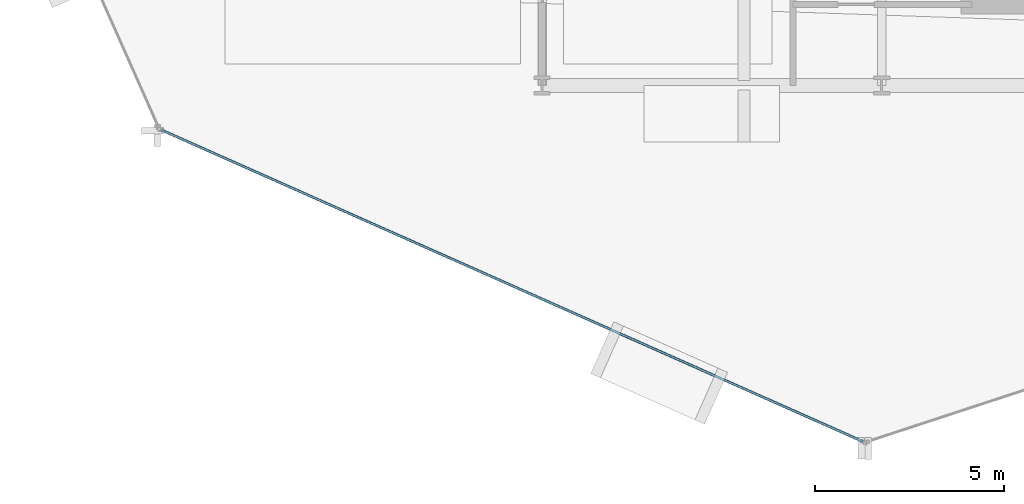
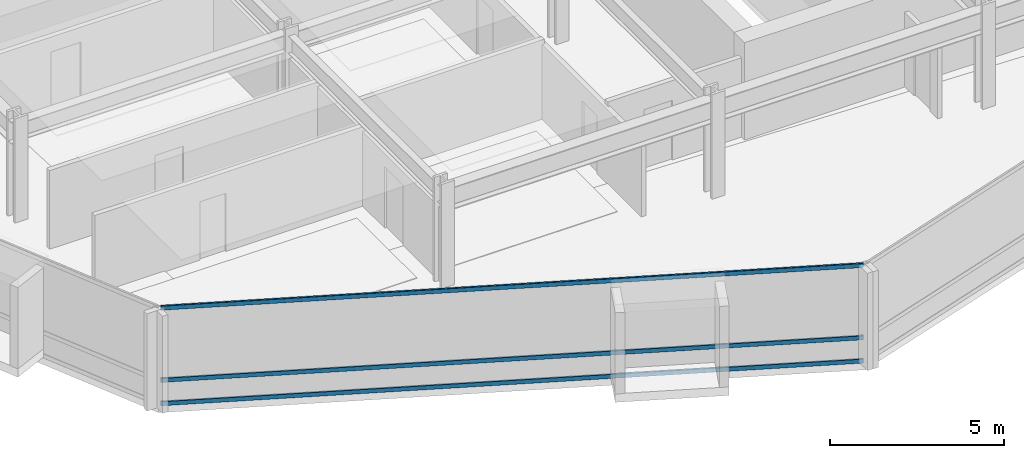
# One storey, part 3 of 34: 3 members, 1 element without a shape of its own.
"""IFC4 building model written with IfcOpenShell, lengths in metres."""

from ifc_helpers import new_model, si_unit, direction, frame, origin, origin_2d, place, context, subcontext, project, spatial, hollow_rectangle, extrude, material, layer, layer_set, material_profile, profile_set, type_object, element, aggregate, save


model = new_model("IFC4")

# Units and contexts
model_context = context("Model", 3, precision=1e-05, world=origin(), true_north=direction((0.0, 1.0)))
body_context = subcontext(model_context, "Body", "Model", "MODEL_VIEW")
ifc_project = project(units=[si_unit("LENGTHUNIT", "METRE"), si_unit("AREAUNIT", "SQUARE_METRE"), si_unit("VOLUMEUNIT", "CUBIC_METRE"), si_unit("PLANEANGLEUNIT", "RADIAN"), si_unit("MASSUNIT", "GRAM", prefix="KILO")], contexts=[model_context])

# Site, building, storey
site_placement = place(None, origin())
site = spatial("IfcSite", under=ifc_project, at=site_placement, CompositionType="ELEMENT")
building_placement = place(site_placement, origin())
building = spatial("IfcBuilding", under=site, at=building_placement, Name="Solvaryn Broadcast Tower", CompositionType="ELEMENT")
storey_placement = place(building_placement, frame((0.0, 0.0, 43.39990234375)))
storey = spatial("IfcBuildingStorey", under=building, at=storey_placement, Name="L09", CompositionType="ELEMENT", Elevation=43.39990234375)

# Curtain wall, members
ifc_material_1 = material(Name="Aluminium and Terracotta Unitised Curtain Wall", Category="masonry")
ifc_layer = layer(ifc_material_1, 0.199951171875)
ifc_layer_set = layer_set([ifc_layer], Name="CW-SYS2-LOWMID")
curtain_wall_type = type_object("IfcCurtainWallType", Name="CW-SYS2-LOWMID", PredefinedType="NOTDEFINED", material=ifc_layer_set)
curtain_wall_placement = place(storey_placement, origin())
curtain_wall = element("IfcCurtainWall", 1, at=curtain_wall_placement, inside=storey, type_object=curtain_wall_type, Name="L09 Curtain Wall DR3", PredefinedType="NOTDEFINED")
ifc_material_2 = material(Name="Anodised Aluminium 6063-T6", Category="aluminium")
ifc_material_profile = material_profile(ifc_material_2, hollow_rectangle(XDim=0.06494140625, YDim=0.14990234375, WallThickness=0.00390625, InnerFilletRadius=0.00390625, OuterFilletRadius=0.008056640625, at=origin_2d()))
ifc_profile_set = profile_set([ifc_material_profile], Name="Anodised Aluminium 6063-T6")
member_type = type_object("IfcMemberType", Name="CW-TRN-150", PredefinedType="USERDEFINED", material=ifc_profile_set)
member_1_placement = place(storey_placement, frame((7.90185546875, 7.82275390625, 0.030029296875), z_axis=(0.913914888191, -0.405905872269, 0.0), x_axis=(0.405905872269, 0.913914888191, 0.0)))
member_1 = element("IfcMember", 2, at=member_1_placement, type_object=member_type, Name="CWS2 transom 1.1", ObjectType="TRANSOM", PredefinedType="USERDEFINED", context=body_context, shape_type="SweptSolid", body=[
    extrude(hollow_rectangle(XDim=0.06494140625, YDim=0.14990234375, WallThickness=0.00390625, InnerFilletRadius=0.00390625, OuterFilletRadius=0.008056640625, at=origin_2d()), origin(), (0.0, 0.0, 1.0), 20.35546875),
])
member_2_placement = place(storey_placement, frame((7.90185546875, 7.82275390625, 0.85009765625), z_axis=(0.913914888191, -0.405905872269, 0.0), x_axis=(0.405905872269, 0.913914888191, 0.0)))
member_2 = element("IfcMember", 3, at=member_2_placement, type_object=member_type, Name="CWS2 transom 1.2", ObjectType="TRANSOM", PredefinedType="USERDEFINED", context=body_context, shape_type="SweptSolid", body=[
    extrude(hollow_rectangle(XDim=0.06494140625, YDim=0.14990234375, WallThickness=0.00390625, InnerFilletRadius=0.00390625, OuterFilletRadius=0.008056640625, at=origin_2d()), origin(), (0.0, 0.0, 1.0), 20.35546875),
])
member_3_placement = place(storey_placement, frame((7.90185546875, 7.82275390625, 3.39013671875), z_axis=(0.913914888191, -0.405905872269, 0.0), x_axis=(0.405905872269, 0.913914888191, 0.0)))
member_3 = element("IfcMember", 4, at=member_3_placement, type_object=member_type, Name="CWS2 transom 1.3", ObjectType="TRANSOM", PredefinedType="USERDEFINED", context=body_context, shape_type="SweptSolid", body=[
    extrude(hollow_rectangle(XDim=0.06494140625, YDim=0.14990234375, WallThickness=0.00390625, InnerFilletRadius=0.00390625, OuterFilletRadius=0.008056640625, at=origin_2d()), origin(), (0.0, 0.0, 1.0), 20.35546875),
])
aggregate(curtain_wall, [member_1, member_2, member_3])

save(model, "model.ifc")
